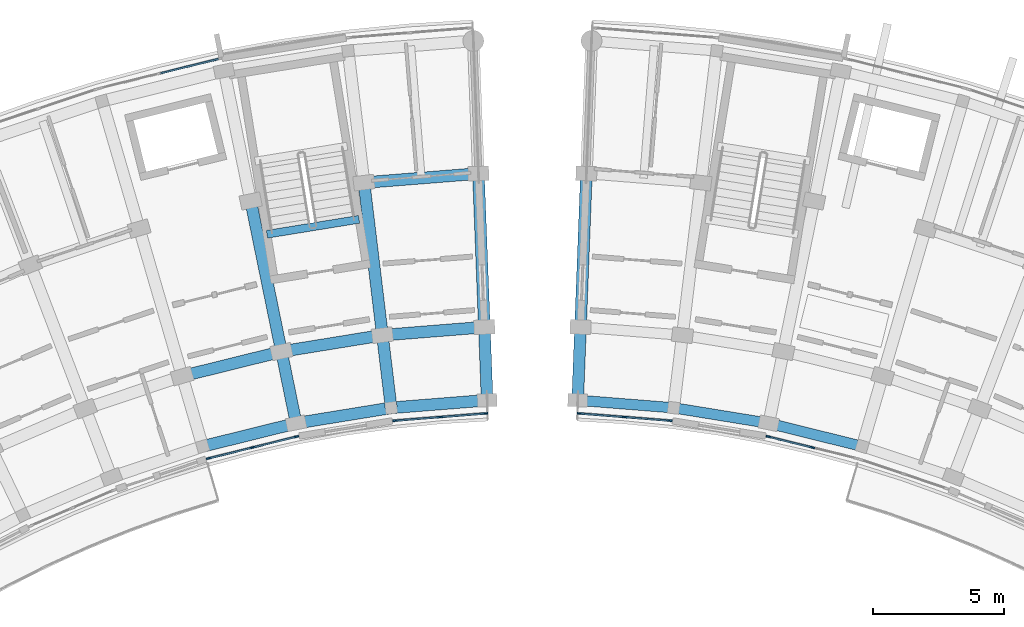
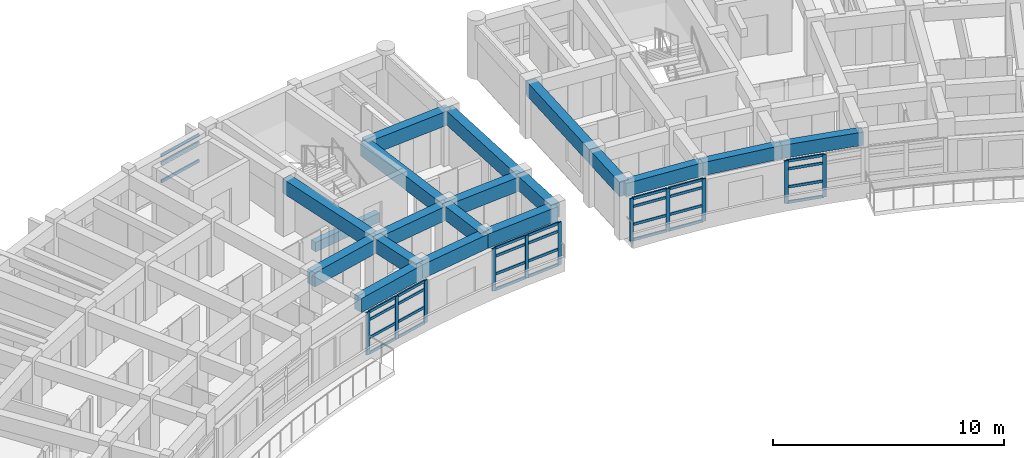
# One storey, part 6 of 56: 42 members, 19 beams, 5 elements without a shape of their own.
"""IFC4 building model written with IfcOpenShell, lengths in metres."""

from ifc_helpers import new_model, si_unit, direction, frame, origin, origin_2d, place, context, subcontext, project, spatial, rectangle, extrude, material, material_profile, profile_set, type_object, element, aggregate, save


model = new_model("IFC4")

# Units and contexts
model_context = context("Model", 3, precision=1e-05, world=origin(), true_north=direction((0.0, 1.0)))
body_context = subcontext(model_context, "Body", "Model", "MODEL_VIEW")
ifc_project = project(units=[si_unit("LENGTHUNIT", "METRE"), si_unit("AREAUNIT", "SQUARE_METRE"), si_unit("VOLUMEUNIT", "CUBIC_METRE"), si_unit("PLANEANGLEUNIT", "RADIAN"), si_unit("MASSUNIT", "GRAM", prefix="KILO")], contexts=[model_context])

# Site, building, storey
site_placement = place(None, origin())
site = spatial("IfcSite", under=ifc_project, at=site_placement, CompositionType="ELEMENT")
building_placement = place(site_placement, origin())
building = spatial("IfcBuilding", under=site, at=building_placement, Name="Zimvara Arc Housing Community", CompositionType="ELEMENT")
storey_placement = place(building_placement, frame((0.0, 0.0, 11.199951171875)))
storey = spatial("IfcBuildingStorey", under=building, at=storey_placement, Name="L03", CompositionType="ELEMENT", Elevation=11.199951171875)

# Beams
ifc_material_1 = material(Name="Concrete C40/50", Category="concrete")
ifc_material_profile_1 = material_profile(ifc_material_1, rectangle(XDim=0.300048828125, YDim=0.5, at=origin_2d()), Name="RC 300x500")
ifc_profile_set_1 = profile_set([ifc_material_profile_1], Name="Concrete C40/50")
beam_type_1 = type_object("IfcBeamType", Name="BM-RC-300x500", PredefinedType="BEAM", material=ifc_profile_set_1)
beam_1_placement = place(storey_placement, frame((38.3662109375, 96.509033203125, -0.25), z_axis=(-0.987080057935, -0.160227835371, 0.0), x_axis=(0.160227835371, -0.987080057935, 0.0)))
element("IfcBeam", 1, at=beam_1_placement, inside=storey, type_object=beam_type_1, Name="bm:stair_trim:ST-A2:L03:near", PredefinedType="BEAM", context=body_context, shape_type="SweptSolid", body=[
    extrude(rectangle(XDim=0.300048828125, YDim=0.5, at=origin_2d()), origin(), (0.0, 0.0, 1.0), 3.570068359375),
])
ifc_material_2 = material(Name="Concrete C40/50", Category="concrete")
ifc_material_profile_2 = material_profile(ifc_material_2, rectangle(XDim=0.39990234375, YDim=0.699951171875, at=origin_2d()), Name="RC 400x700")
ifc_profile_set_2 = profile_set([ifc_material_profile_2], Name="Concrete C40/50")
beam_type_2 = type_object("IfcBeamType", Name="BM-RC-400x700", PredefinedType="BEAM", material=ifc_profile_set_2)
for number, where, z_axis, x_axis, name in (
    (2, (46.732177734375, 89.586669921875, 2.510009765625), (0.996865226667, -0.079118391428, 0.0), (0.079118391428, 0.996865226667, 0.0), "bm:blkB:L03:chord:r0:b0"),
    (3, (50.405029296875, 89.295166015625, 2.510009765625), (0.987079996944, -0.160228211104, 0.0), (0.160228211104, 0.987079996944, 0.0), "bm:blkB:L03:chord:r0:b1"),
):
    element("IfcBeam", number, at=place(storey_placement, frame(where, z_axis=z_axis, x_axis=x_axis)), inside=storey, type_object=beam_type_2, Name=name, PredefinedType="BEAM", context=body_context, shape_type="SweptSolid", body=[
        extrude(rectangle(XDim=0.39990234375, YDim=0.699951171875, at=origin_2d()), origin(), (0.0, 0.0, 1.0), 3.684326171875),
    ])
beam_2_placement = place(storey_placement, frame((54.041748046875, 88.704833984375, 2.510009765625), z_axis=(0.970708886215, -0.240258731837, 0.0), x_axis=(0.240258731837, 0.970708886215, 0.0)))
element("IfcBeam", 4, at=beam_2_placement, inside=storey, type_object=beam_type_2, Name="bm:blkB:L03:chord:r0:b2", PredefinedType="BEAM", context=body_context, shape_type="SweptSolid", body=[
    extrude(rectangle(XDim=0.39990234375, YDim=0.699951171875, at=origin_2d()), origin(), (0.0, 0.0, 1.0), 3.6845703125),
])
ifc_material_3 = material(Name="Concrete C40/50", Category="concrete")
ifc_material_profile_3 = material_profile(ifc_material_3, rectangle(XDim=0.449951171875, YDim=0.75, at=origin_2d()), Name="RC 450x750")
ifc_profile_set_3 = profile_set([ifc_material_profile_3], Name="Concrete C40/50")
beam_type_3 = type_object("IfcBeamType", Name="BM-RC-450x750", PredefinedType="BEAM", material=ifc_profile_set_3)
beam_3_placement = place(storey_placement, frame((32.381591796875, 87.819580078125, 2.485107421875), z_axis=(0.970708886215, 0.240258731837, 0.0), x_axis=(-0.240258731837, 0.970708886215, 0.0)))
element("IfcBeam", 5, at=beam_3_placement, inside=storey, type_object=beam_type_3, Name="bm:blkA:L03:chord:r0:b7", PredefinedType="BEAM", context=body_context, shape_type="SweptSolid", body=[
    extrude(rectangle(XDim=0.449951171875, YDim=0.75, at=origin_2d()), origin(), (0.0, 0.0, 1.0), 3.6845703125),
])
for number, where, z_axis, x_axis, name in (
    (6, (35.958251953125, 88.704833984375, 2.485107421875), (0.987079996944, 0.160228211104, 0.0), (-0.160228211104, 0.987079996944, 0.0), "bm:blkA:L03:chord:r0:b8"),
    (7, (39.594970703125, 89.295166015625, 2.485107421875), (0.996865226667, 0.079118391428, 0.0), (-0.079118391428, 0.996865226667, 0.0), "bm:blkA:L03:chord:r0:b9"),
):
    element("IfcBeam", number, at=place(storey_placement, frame(where, z_axis=z_axis, x_axis=x_axis)), inside=storey, type_object=beam_type_3, Name=name, PredefinedType="BEAM", context=body_context, shape_type="SweptSolid", body=[
        extrude(rectangle(XDim=0.449951171875, YDim=0.75, at=origin_2d()), origin(), (0.0, 0.0, 1.0), 3.684326171875),
    ])
for number, where, z_axis, x_axis, name in (
    (8, (31.5986328125, 90.5078125, 2.485107421875), (0.970708671682, 0.240259598602, 0.0), (-0.240259598602, 0.970708671682, 0.0), "bm:blkA:L03:chord:r1:b7"),
    (9, (35.397216796875, 91.447998046875, 2.485107421875), (0.987081487371, 0.160219029111, 0.0), (-0.160219029111, 0.987081487371, 0.0), "bm:blkA:L03:chord:r1:b8"),
):
    element("IfcBeam", number, at=place(storey_placement, frame(where, z_axis=z_axis, x_axis=x_axis)), inside=storey, type_object=beam_type_3, Name=name, PredefinedType="BEAM", context=body_context, shape_type="SweptSolid", body=[
        extrude(rectangle(XDim=0.449951171875, YDim=0.75, at=origin_2d()), origin(), (0.0, 0.0, 1.0), 3.9130859375),
    ])
beam_4_placement = place(storey_placement, frame((39.259765625, 92.074951171875, 2.485107421875), z_axis=(0.99686054795, 0.079177319606, 0.0), x_axis=(-0.079177319606, 0.99686054795, 0.0)))
element("IfcBeam", 10, at=beam_4_placement, inside=storey, type_object=beam_type_3, Name="bm:blkA:L03:chord:r1:b9", PredefinedType="BEAM", context=body_context, shape_type="SweptSolid", body=[
    extrude(rectangle(XDim=0.449951171875, YDim=0.75, at=origin_2d()), origin(), (0.0, 0.0, 1.0), 3.912841796875),
])
beam_5_placement = place(storey_placement, frame((38.55517578125, 97.91259765625, 2.485107421875), z_axis=(0.996864209836, 0.079131202119, 0.0), x_axis=(-0.079131202119, 0.996864209836, 0.0)))
element("IfcBeam", 11, at=beam_5_placement, inside=storey, type_object=beam_type_3, Name="bm:blkA:L03:chord:r2:b9", PredefinedType="BEAM", context=body_context, shape_type="SweptSolid", body=[
    extrude(rectangle(XDim=0.449951171875, YDim=0.75, at=origin_2d()), origin(), (0.0, 0.0, 1.0), 4.393310546875),
])
beam_6_placement = place(storey_placement, frame((35.958251953125, 88.704833984375, 2.485107421875), z_axis=(-0.20037341071, 0.979719600845, 0.0), x_axis=(-0.979719600845, -0.20037341071, 0.0)))
element("IfcBeam", 12, at=beam_6_placement, inside=storey, type_object=beam_type_3, Name="bm:blkA:L03:rad:b8:r01", PredefinedType="BEAM", context=body_context, shape_type="SweptSolid", body=[
    extrude(rectangle(XDim=0.449951171875, YDim=0.75, at=origin_2d()), origin(), (0.0, 0.0, 1.0), 2.800048828125),
])
beam_7_placement = place(storey_placement, frame((35.397216796875, 91.447998046875, 2.485107421875), z_axis=(-0.200417973989, 0.979710485655, 0.0), x_axis=(-0.979710485655, -0.200417973989, 0.0)))
element("IfcBeam", 13, at=beam_7_placement, inside=storey, type_object=beam_type_3, Name="bm:blkA:L03:rad:b8:r12", PredefinedType="BEAM", context=body_context, shape_type="SweptSolid", body=[
    extrude(rectangle(XDim=0.449951171875, YDim=0.75, at=origin_2d()), origin(), (0.0, 0.0, 1.0), 5.880126953125),
])
beam_8_placement = place(storey_placement, frame((39.594970703125, 89.295166015625, 2.485107421875), z_axis=(-0.119719398078, 0.992807768767, 0.0), x_axis=(-0.992807768767, -0.119719398078, 0.0)))
element("IfcBeam", 14, at=beam_8_placement, inside=storey, type_object=beam_type_3, Name="bm:blkA:L03:rad:b9:r01", PredefinedType="BEAM", context=body_context, shape_type="SweptSolid", body=[
    extrude(rectangle(XDim=0.449951171875, YDim=0.75, at=origin_2d()), origin(), (0.0, 0.0, 1.0), 2.7998046875),
])
beam_9_placement = place(storey_placement, frame((39.259765625, 92.074951171875, 2.485107421875), z_axis=(-0.119827921695, 0.992794676246, 0.0), x_axis=(-0.992794676246, -0.119827921695, 0.0)))
element("IfcBeam", 15, at=beam_9_placement, inside=storey, type_object=beam_type_3, Name="bm:blkA:L03:rad:b9:r12", PredefinedType="BEAM", context=body_context, shape_type="SweptSolid", body=[
    extrude(rectangle(XDim=0.449951171875, YDim=0.75, at=origin_2d()), origin(), (0.0, 0.0, 1.0), 5.880126953125),
])
beam_10_placement = place(storey_placement, frame((43.267822265625, 89.586669921875, 2.485107421875), z_axis=(-0.038362804793, 0.999263876665, 0.0), x_axis=(-0.999263876665, -0.038362804793, 0.0)))
element("IfcBeam", 16, at=beam_10_placement, inside=storey, type_object=beam_type_3, Name="bm:blkA:L03:rad:b10:r01", PredefinedType="BEAM", context=body_context, shape_type="SweptSolid", body=[
    extrude(rectangle(XDim=0.449951171875, YDim=0.75, at=origin_2d()), origin(), (0.0, 0.0, 1.0), 2.800048828125),
])
beam_11_placement = place(storey_placement, frame((43.160400390625, 92.384765625, 2.485107421875), z_axis=(-0.038366147405, 0.999263748333, 0.0), x_axis=(-0.999263748333, -0.038366147405, 0.0)))
element("IfcBeam", 17, at=beam_11_placement, inside=storey, type_object=beam_type_3, Name="bm:blkA:L03:rad:b10:r12", PredefinedType="BEAM", context=body_context, shape_type="SweptSolid", body=[
    extrude(rectangle(XDim=0.449951171875, YDim=0.75, at=origin_2d()), origin(), (0.0, 0.0, 1.0), 5.8798828125),
])
beam_12_placement = place(storey_placement, frame((46.732177734375, 89.586669921875, 2.485107421875), z_axis=(0.038362804793, 0.999263876665, 0.0), x_axis=(-0.999263876665, 0.038362804793, 0.0)))
element("IfcBeam", 18, at=beam_12_placement, inside=storey, type_object=beam_type_3, Name="bm:blkB:L03:rad:b0:r01", PredefinedType="BEAM", context=body_context, shape_type="SweptSolid", body=[
    extrude(rectangle(XDim=0.449951171875, YDim=0.75, at=origin_2d()), origin(), (0.0, 0.0, 1.0), 2.800048828125),
])
beam_13_placement = place(storey_placement, frame((46.839599609375, 92.384765625, 2.485107421875), z_axis=(0.038366147405, 0.999263748333, 0.0), x_axis=(-0.999263748333, 0.038366147405, 0.0)))
element("IfcBeam", 19, at=beam_13_placement, inside=storey, type_object=beam_type_3, Name="bm:blkB:L03:rad:b0:r12", PredefinedType="BEAM", context=body_context, shape_type="SweptSolid", body=[
    extrude(rectangle(XDim=0.449951171875, YDim=0.75, at=origin_2d()), origin(), (0.0, 0.0, 1.0), 5.8798828125),
])

# Curtain wall, members
ifc_material_4 = material(Name="Anodised Aluminium AW-6063", Category="aluminium")
curtain_wall_type_1 = type_object("IfcCurtainWallType", Name="CW-SYS-02", PredefinedType="USERDEFINED", material=ifc_material_4)
curtain_wall_1_placement = place(storey_placement, origin())
curtain_wall_1 = element("IfcCurtainWall", 20, at=curtain_wall_1_placement, inside=storey, type_object=curtain_wall_type_1, Name="cw:blkA:L03:in:b7", ObjectType="CURTAIN WALL", PredefinedType="USERDEFINED")
ifc_material_5 = material(Name="Anodised Aluminium AW-6063", Category="aluminium")
ifc_material_profile_4 = material_profile(ifc_material_5, rectangle(XDim=0.06494140625, YDim=0.179931640625, at=origin_2d()), Name="ALU 65x180")
ifc_profile_set_4 = profile_set([ifc_material_profile_4], Name="Anodised Aluminium AW-6063")
member_type_1 = type_object("IfcMemberType", Name="CWM-65x150", PredefinedType="MULLION", material=ifc_profile_set_4)
member_1_placement = place(storey_placement, frame((32.611328125, 87.36181640625, 0.0), z_axis=(0.0, 0.0, 1.0), x_axis=(-0.240227815706, 0.970716537698, 0.0)))
member_1 = element("IfcMember", 21, at=member_1_placement, type_object=member_type_1, Name="CW02 mullion 1", PredefinedType="MULLION", context=body_context, shape_type="SweptSolid", body=[
    extrude(rectangle(XDim=0.06494140625, YDim=0.179931640625, at=origin_2d()), origin(), (0.0, 0.0, 1.0), 2.25),
])
member_2_placement = place(storey_placement, frame((34.2900390625, 87.77734375, 0.0), z_axis=(0.0, 0.0, 1.0), x_axis=(-0.240227815706, 0.970716537698, 0.0)))
member_2 = element("IfcMember", 22, at=member_2_placement, type_object=member_type_1, Name="CW02 mullion 2", PredefinedType="MULLION", context=body_context, shape_type="SweptSolid", body=[
    extrude(rectangle(XDim=0.06494140625, YDim=0.179931640625, at=origin_2d()), origin(), (0.0, 0.0, 1.0), 2.25),
])
member_3_placement = place(storey_placement, frame((35.96875, 88.192626953125, 0.0), z_axis=(0.0, 0.0, 1.0), x_axis=(-0.240227815706, 0.970716537698, 0.0)))
member_3 = element("IfcMember", 23, at=member_3_placement, type_object=member_type_1, Name="CW02 mullion 3", PredefinedType="MULLION", context=body_context, shape_type="SweptSolid", body=[
    extrude(rectangle(XDim=0.06494140625, YDim=0.179931640625, at=origin_2d()), origin(), (0.0, 0.0, 1.0), 2.25),
])

ifc_material_6 = material(Name="Anodised Aluminium AW-6063", Category="aluminium")
curtain_wall_type_2 = type_object("IfcCurtainWallType", Name="CW-SYS-04", PredefinedType="USERDEFINED", material=ifc_material_6)
curtain_wall_2_placement = place(storey_placement, origin())
curtain_wall_2 = element("IfcCurtainWall", 24, at=curtain_wall_2_placement, inside=storey, type_object=curtain_wall_type_2, Name="cw:blkA:L03:in:b9", ObjectType="CURTAIN WALL", PredefinedType="USERDEFINED")
member_4_placement = place(storey_placement, frame((39.7470703125, 88.805908203125, 0.0), z_axis=(0.0, 0.0, 1.0), x_axis=(-0.079154709897, 0.996862343506, 0.0)))
member_4 = element("IfcMember", 25, at=member_4_placement, type_object=member_type_1, Name="CW04 mullion 1", PredefinedType="MULLION", context=body_context, shape_type="SweptSolid", body=[
    extrude(rectangle(XDim=0.06494140625, YDim=0.179931640625, at=origin_2d()), origin(), (0.0, 0.0, 1.0), 2.25),
])
member_5_placement = place(storey_placement, frame((41.470947265625, 88.94287109375, 0.0), z_axis=(0.0, 0.0, 1.0), x_axis=(-0.079154709897, 0.996862343506, 0.0)))
member_5 = element("IfcMember", 26, at=member_5_placement, type_object=member_type_1, Name="CW04 mullion 2", PredefinedType="MULLION", context=body_context, shape_type="SweptSolid", body=[
    extrude(rectangle(XDim=0.06494140625, YDim=0.179931640625, at=origin_2d()), origin(), (0.0, 0.0, 1.0), 2.25),
])
member_6_placement = place(storey_placement, frame((43.19482421875, 89.079833984375, 0.0), z_axis=(0.0, 0.0, 1.0), x_axis=(-0.079154709897, 0.996862343506, 0.0)))
member_6 = element("IfcMember", 27, at=member_6_placement, type_object=member_type_1, Name="CW04 mullion 3", PredefinedType="MULLION", context=body_context, shape_type="SweptSolid", body=[
    extrude(rectangle(XDim=0.06494140625, YDim=0.179931640625, at=origin_2d()), origin(), (0.0, 0.0, 1.0), 2.25),
])

ifc_material_7 = material(Name="Anodised Aluminium AW-6063", Category="aluminium")
curtain_wall_type_3 = type_object("IfcCurtainWallType", Name="CW-SYS-08", PredefinedType="USERDEFINED", material=ifc_material_7)
curtain_wall_3_placement = place(storey_placement, origin())
curtain_wall_3 = element("IfcCurtainWall", 28, at=curtain_wall_3_placement, inside=storey, type_object=curtain_wall_type_3, Name="cw:blkB:L03:in:b0", ObjectType="CURTAIN WALL", PredefinedType="USERDEFINED")
member_7_placement = place(storey_placement, frame((46.80517578125, 89.079833984375, 0.0), z_axis=(0.0, 0.0, 1.0), x_axis=(0.079154709897, 0.996862343506, 0.0)))
member_7 = element("IfcMember", 29, at=member_7_placement, type_object=member_type_1, Name="CW08 mullion 1", PredefinedType="MULLION", context=body_context, shape_type="SweptSolid", body=[
    extrude(rectangle(XDim=0.06494140625, YDim=0.179931640625, at=origin_2d()), origin(), (0.0, 0.0, 1.0), 2.25),
])
member_8_placement = place(storey_placement, frame((48.529052734375, 88.94287109375, 0.0), z_axis=(0.0, 0.0, 1.0), x_axis=(0.079154709897, 0.996862343506, 0.0)))
member_8 = element("IfcMember", 30, at=member_8_placement, type_object=member_type_1, Name="CW08 mullion 2", PredefinedType="MULLION", context=body_context, shape_type="SweptSolid", body=[
    extrude(rectangle(XDim=0.06494140625, YDim=0.179931640625, at=origin_2d()), origin(), (0.0, 0.0, 1.0), 2.25),
])
member_9_placement = place(storey_placement, frame((50.2529296875, 88.805908203125, 0.0), z_axis=(0.0, 0.0, 1.0), x_axis=(0.079154709897, 0.996862343506, 0.0)))
member_9 = element("IfcMember", 31, at=member_9_placement, type_object=member_type_1, Name="CW08 mullion 3", PredefinedType="MULLION", context=body_context, shape_type="SweptSolid", body=[
    extrude(rectangle(XDim=0.06494140625, YDim=0.179931640625, at=origin_2d()), origin(), (0.0, 0.0, 1.0), 2.25),
])

curtain_wall_4_placement = place(storey_placement, origin())
curtain_wall_4 = element("IfcCurtainWall", 32, at=curtain_wall_4_placement, inside=storey, type_object=curtain_wall_type_1, Name="cw:blkB:L03:in:b2", ObjectType="CURTAIN WALL", PredefinedType="USERDEFINED")
member_10_placement = place(storey_placement, frame((54.03125, 88.192626953125, 0.0), z_axis=(0.0, 0.0, 1.0), x_axis=(0.240227815706, 0.970716537698, 0.0)))
member_10 = element("IfcMember", 33, at=member_10_placement, type_object=member_type_1, Name="CW02 mullion 1", PredefinedType="MULLION", context=body_context, shape_type="SweptSolid", body=[
    extrude(rectangle(XDim=0.06494140625, YDim=0.179931640625, at=origin_2d()), origin(), (0.0, 0.0, 1.0), 2.25),
])
member_11_placement = place(storey_placement, frame((55.7099609375, 87.77734375, 0.0), z_axis=(0.0, 0.0, 1.0), x_axis=(0.240227815706, 0.970716537698, 0.0)))
member_11 = element("IfcMember", 34, at=member_11_placement, type_object=member_type_1, Name="CW02 mullion 2", PredefinedType="MULLION", context=body_context, shape_type="SweptSolid", body=[
    extrude(rectangle(XDim=0.06494140625, YDim=0.179931640625, at=origin_2d()), origin(), (0.0, 0.0, 1.0), 2.25),
])

# Member
ifc_material_8 = material(Name="Anodised Aluminium AW-6063", Category="aluminium")
ifc_material_profile_5 = material_profile(ifc_material_8, rectangle(XDim=0.06494140625, YDim=0.139892578125, at=origin_2d()), Name="ALU 65x140")
ifc_profile_set_5 = profile_set([ifc_material_profile_5], Name="Anodised Aluminium AW-6063")
member_type_2 = type_object("IfcMemberType", Name="CWT-65x120", PredefinedType="USERDEFINED", material=ifc_profile_set_5)
member_12_placement = place(storey_placement, frame((32.642822265625, 87.36962890625, 0.032470703125), z_axis=(0.970700809973, 0.24029135964, 0.0), x_axis=(-0.24029135964, 0.970700809973, 0.0)))
member_12 = element("IfcMember", 35, at=member_12_placement, type_object=member_type_2, Name="CW02 transom 1.1", ObjectType="TRANSOM", PredefinedType="USERDEFINED", context=body_context, shape_type="SweptSolid", body=[
    extrude(rectangle(XDim=0.06494140625, YDim=0.139892578125, at=origin_2d()), origin(), (0.0, 0.0, 1.0), 1.664306640625),
])

member_13_placement = place(storey_placement, frame((32.642822265625, 87.36962890625, 0.85009765625), z_axis=(0.970700809973, 0.24029135964, 0.0), x_axis=(-0.24029135964, 0.970700809973, 0.0)))
member_13 = element("IfcMember", 36, at=member_13_placement, type_object=member_type_2, Name="CW02 transom 1.2", ObjectType="TRANSOM", PredefinedType="USERDEFINED", context=body_context, shape_type="SweptSolid", body=[
    extrude(rectangle(XDim=0.06494140625, YDim=0.139892578125, at=origin_2d()), origin(), (0.0, 0.0, 1.0), 1.664306640625),
])

member_14_placement = place(storey_placement, frame((32.642822265625, 87.36962890625, 1.800048828125), z_axis=(0.970700809973, 0.24029135964, 0.0), x_axis=(-0.24029135964, 0.970700809973, 0.0)))
member_14 = element("IfcMember", 37, at=member_14_placement, type_object=member_type_2, Name="CW02 transom 1.3", ObjectType="TRANSOM", PredefinedType="USERDEFINED", context=body_context, shape_type="SweptSolid", body=[
    extrude(rectangle(XDim=0.06494140625, YDim=0.139892578125, at=origin_2d()), origin(), (0.0, 0.0, 1.0), 1.664306640625),
])

member_15_placement = place(storey_placement, frame((32.642822265625, 87.36962890625, 2.217529296875), z_axis=(0.970700809973, 0.24029135964, 0.0), x_axis=(-0.24029135964, 0.970700809973, 0.0)))
member_15 = element("IfcMember", 38, at=member_15_placement, type_object=member_type_2, Name="CW02 transom 1.4", ObjectType="TRANSOM", PredefinedType="USERDEFINED", context=body_context, shape_type="SweptSolid", body=[
    extrude(rectangle(XDim=0.06494140625, YDim=0.139892578125, at=origin_2d()), origin(), (0.0, 0.0, 1.0), 1.664306640625),
])

member_16_placement = place(storey_placement, frame((34.321533203125, 87.78515625, 0.032470703125), z_axis=(0.970735018799, 0.240153124645, 0.0), x_axis=(-0.240153124645, 0.970735018799, 0.0)))
member_16 = element("IfcMember", 39, at=member_16_placement, type_object=member_type_2, Name="CW02 transom 2.1", ObjectType="TRANSOM", PredefinedType="USERDEFINED", context=body_context, shape_type="SweptSolid", body=[
    extrude(rectangle(XDim=0.06494140625, YDim=0.139892578125, at=origin_2d()), origin(), (0.0, 0.0, 1.0), 1.6640625),
])

member_17_placement = place(storey_placement, frame((34.321533203125, 87.78515625, 0.85009765625), z_axis=(0.970735018799, 0.240153124645, 0.0), x_axis=(-0.240153124645, 0.970735018799, 0.0)))
member_17 = element("IfcMember", 40, at=member_17_placement, type_object=member_type_2, Name="CW02 transom 2.2", ObjectType="TRANSOM", PredefinedType="USERDEFINED", context=body_context, shape_type="SweptSolid", body=[
    extrude(rectangle(XDim=0.06494140625, YDim=0.139892578125, at=origin_2d()), origin(), (0.0, 0.0, 1.0), 1.6640625),
])

member_18_placement = place(storey_placement, frame((34.321533203125, 87.78515625, 1.800048828125), z_axis=(0.970735018799, 0.240153124645, 0.0), x_axis=(-0.240153124645, 0.970735018799, 0.0)))
member_18 = element("IfcMember", 41, at=member_18_placement, type_object=member_type_2, Name="CW02 transom 2.3", ObjectType="TRANSOM", PredefinedType="USERDEFINED", context=body_context, shape_type="SweptSolid", body=[
    extrude(rectangle(XDim=0.06494140625, YDim=0.139892578125, at=origin_2d()), origin(), (0.0, 0.0, 1.0), 1.6640625),
])

member_19_placement = place(storey_placement, frame((34.321533203125, 87.78515625, 2.217529296875), z_axis=(0.970735018799, 0.240153124645, 0.0), x_axis=(-0.240153124645, 0.970735018799, 0.0)))
member_19 = element("IfcMember", 42, at=member_19_placement, type_object=member_type_2, Name="CW02 transom 2.4", ObjectType="TRANSOM", PredefinedType="USERDEFINED", context=body_context, shape_type="SweptSolid", body=[
    extrude(rectangle(XDim=0.06494140625, YDim=0.139892578125, at=origin_2d()), origin(), (0.0, 0.0, 1.0), 1.6640625),
])

aggregate(curtain_wall_1, [member_1, member_2, member_3, member_12, member_13, member_14, member_15, member_16, member_17, member_18, member_19])

member_20_placement = place(storey_placement, frame((39.779541015625, 88.80859375, 0.032470703125), z_axis=(0.99685804311, 0.079208849806, 0.0), x_axis=(-0.079208849806, 0.99685804311, 0.0)))
member_20 = element("IfcMember", 43, at=member_20_placement, type_object=member_type_2, Name="CW04 transom 1.1", ObjectType="TRANSOM", PredefinedType="USERDEFINED", context=body_context, shape_type="SweptSolid", body=[
    extrude(rectangle(XDim=0.06494140625, YDim=0.139892578125, at=origin_2d()), origin(), (0.0, 0.0, 1.0), 1.664306640625),
])

member_21_placement = place(storey_placement, frame((39.779541015625, 88.80859375, 0.85009765625), z_axis=(0.99685804311, 0.079208849806, 0.0), x_axis=(-0.079208849806, 0.99685804311, 0.0)))
member_21 = element("IfcMember", 44, at=member_21_placement, type_object=member_type_2, Name="CW04 transom 1.2", ObjectType="TRANSOM", PredefinedType="USERDEFINED", context=body_context, shape_type="SweptSolid", body=[
    extrude(rectangle(XDim=0.06494140625, YDim=0.139892578125, at=origin_2d()), origin(), (0.0, 0.0, 1.0), 1.664306640625),
])

member_22_placement = place(storey_placement, frame((39.779541015625, 88.80859375, 1.800048828125), z_axis=(0.99685804311, 0.079208849806, 0.0), x_axis=(-0.079208849806, 0.99685804311, 0.0)))
member_22 = element("IfcMember", 45, at=member_22_placement, type_object=member_type_2, Name="CW04 transom 1.3", ObjectType="TRANSOM", PredefinedType="USERDEFINED", context=body_context, shape_type="SweptSolid", body=[
    extrude(rectangle(XDim=0.06494140625, YDim=0.139892578125, at=origin_2d()), origin(), (0.0, 0.0, 1.0), 1.664306640625),
])

member_23_placement = place(storey_placement, frame((39.779541015625, 88.80859375, 2.217529296875), z_axis=(0.99685804311, 0.079208849806, 0.0), x_axis=(-0.079208849806, 0.99685804311, 0.0)))
member_23 = element("IfcMember", 46, at=member_23_placement, type_object=member_type_2, Name="CW04 transom 1.4", ObjectType="TRANSOM", PredefinedType="USERDEFINED", context=body_context, shape_type="SweptSolid", body=[
    extrude(rectangle(XDim=0.06494140625, YDim=0.139892578125, at=origin_2d()), origin(), (0.0, 0.0, 1.0), 1.664306640625),
])

member_24_placement = place(storey_placement, frame((41.50341796875, 88.945556640625, 0.032470703125), z_axis=(0.996869614678, 0.079063084507, 0.0), x_axis=(-0.079063084507, 0.996869614678, 0.0)))
member_24 = element("IfcMember", 47, at=member_24_placement, type_object=member_type_2, Name="CW04 transom 2.1", ObjectType="TRANSOM", PredefinedType="USERDEFINED", context=body_context, shape_type="SweptSolid", body=[
    extrude(rectangle(XDim=0.06494140625, YDim=0.139892578125, at=origin_2d()), origin(), (0.0, 0.0, 1.0), 1.664306640625),
])

member_25_placement = place(storey_placement, frame((41.50341796875, 88.945556640625, 0.85009765625), z_axis=(0.996869614678, 0.079063084507, 0.0), x_axis=(-0.079063084507, 0.996869614678, 0.0)))
member_25 = element("IfcMember", 48, at=member_25_placement, type_object=member_type_2, Name="CW04 transom 2.2", ObjectType="TRANSOM", PredefinedType="USERDEFINED", context=body_context, shape_type="SweptSolid", body=[
    extrude(rectangle(XDim=0.06494140625, YDim=0.139892578125, at=origin_2d()), origin(), (0.0, 0.0, 1.0), 1.664306640625),
])

member_26_placement = place(storey_placement, frame((41.50341796875, 88.945556640625, 1.800048828125), z_axis=(0.996869614678, 0.079063084507, 0.0), x_axis=(-0.079063084507, 0.996869614678, 0.0)))
member_26 = element("IfcMember", 49, at=member_26_placement, type_object=member_type_2, Name="CW04 transom 2.3", ObjectType="TRANSOM", PredefinedType="USERDEFINED", context=body_context, shape_type="SweptSolid", body=[
    extrude(rectangle(XDim=0.06494140625, YDim=0.139892578125, at=origin_2d()), origin(), (0.0, 0.0, 1.0), 1.664306640625),
])

member_27_placement = place(storey_placement, frame((41.50341796875, 88.945556640625, 2.217529296875), z_axis=(0.996869614678, 0.079063084507, 0.0), x_axis=(-0.079063084507, 0.996869614678, 0.0)))
member_27 = element("IfcMember", 50, at=member_27_placement, type_object=member_type_2, Name="CW04 transom 2.4", ObjectType="TRANSOM", PredefinedType="USERDEFINED", context=body_context, shape_type="SweptSolid", body=[
    extrude(rectangle(XDim=0.06494140625, YDim=0.139892578125, at=origin_2d()), origin(), (0.0, 0.0, 1.0), 1.664306640625),
])

aggregate(curtain_wall_2, [member_4, member_5, member_6, member_20, member_21, member_22, member_23, member_24, member_25, member_26, member_27])

member_28_placement = place(storey_placement, frame((46.83740234375, 89.0771484375, 0.032470703125), z_axis=(0.996869614678, -0.079063084507, 0.0), x_axis=(0.079063084507, 0.996869614678, 0.0)))
member_28 = element("IfcMember", 51, at=member_28_placement, type_object=member_type_2, Name="CW08 transom 1.1", ObjectType="TRANSOM", PredefinedType="USERDEFINED", context=body_context, shape_type="SweptSolid", body=[
    extrude(rectangle(XDim=0.06494140625, YDim=0.139892578125, at=origin_2d()), origin(), (0.0, 0.0, 1.0), 1.664306640625),
])

member_29_placement = place(storey_placement, frame((46.83740234375, 89.0771484375, 0.85009765625), z_axis=(0.996869614678, -0.079063084507, 0.0), x_axis=(0.079063084507, 0.996869614678, 0.0)))
member_29 = element("IfcMember", 52, at=member_29_placement, type_object=member_type_2, Name="CW08 transom 1.2", ObjectType="TRANSOM", PredefinedType="USERDEFINED", context=body_context, shape_type="SweptSolid", body=[
    extrude(rectangle(XDim=0.06494140625, YDim=0.139892578125, at=origin_2d()), origin(), (0.0, 0.0, 1.0), 1.664306640625),
])

member_30_placement = place(storey_placement, frame((46.83740234375, 89.0771484375, 1.800048828125), z_axis=(0.996869614678, -0.079063084507, 0.0), x_axis=(0.079063084507, 0.996869614678, 0.0)))
member_30 = element("IfcMember", 53, at=member_30_placement, type_object=member_type_2, Name="CW08 transom 1.3", ObjectType="TRANSOM", PredefinedType="USERDEFINED", context=body_context, shape_type="SweptSolid", body=[
    extrude(rectangle(XDim=0.06494140625, YDim=0.139892578125, at=origin_2d()), origin(), (0.0, 0.0, 1.0), 1.664306640625),
])

member_31_placement = place(storey_placement, frame((46.83740234375, 89.0771484375, 2.217529296875), z_axis=(0.996869614678, -0.079063084507, 0.0), x_axis=(0.079063084507, 0.996869614678, 0.0)))
member_31 = element("IfcMember", 54, at=member_31_placement, type_object=member_type_2, Name="CW08 transom 1.4", ObjectType="TRANSOM", PredefinedType="USERDEFINED", context=body_context, shape_type="SweptSolid", body=[
    extrude(rectangle(XDim=0.06494140625, YDim=0.139892578125, at=origin_2d()), origin(), (0.0, 0.0, 1.0), 1.664306640625),
])

member_32_placement = place(storey_placement, frame((48.561279296875, 88.9404296875, 0.032470703125), z_axis=(0.99685804311, -0.079208849806, 0.0), x_axis=(0.079208849806, 0.99685804311, 0.0)))
member_32 = element("IfcMember", 55, at=member_32_placement, type_object=member_type_2, Name="CW08 transom 2.1", ObjectType="TRANSOM", PredefinedType="USERDEFINED", context=body_context, shape_type="SweptSolid", body=[
    extrude(rectangle(XDim=0.06494140625, YDim=0.139892578125, at=origin_2d()), origin(), (0.0, 0.0, 1.0), 1.664306640625),
])

member_33_placement = place(storey_placement, frame((48.561279296875, 88.9404296875, 0.85009765625), z_axis=(0.99685804311, -0.079208849806, 0.0), x_axis=(0.079208849806, 0.99685804311, 0.0)))
member_33 = element("IfcMember", 56, at=member_33_placement, type_object=member_type_2, Name="CW08 transom 2.2", ObjectType="TRANSOM", PredefinedType="USERDEFINED", context=body_context, shape_type="SweptSolid", body=[
    extrude(rectangle(XDim=0.06494140625, YDim=0.139892578125, at=origin_2d()), origin(), (0.0, 0.0, 1.0), 1.664306640625),
])

member_34_placement = place(storey_placement, frame((48.561279296875, 88.9404296875, 1.800048828125), z_axis=(0.99685804311, -0.079208849806, 0.0), x_axis=(0.079208849806, 0.99685804311, 0.0)))
member_34 = element("IfcMember", 57, at=member_34_placement, type_object=member_type_2, Name="CW08 transom 2.3", ObjectType="TRANSOM", PredefinedType="USERDEFINED", context=body_context, shape_type="SweptSolid", body=[
    extrude(rectangle(XDim=0.06494140625, YDim=0.139892578125, at=origin_2d()), origin(), (0.0, 0.0, 1.0), 1.664306640625),
])

member_35_placement = place(storey_placement, frame((48.561279296875, 88.9404296875, 2.217529296875), z_axis=(0.99685804311, -0.079208849806, 0.0), x_axis=(0.079208849806, 0.99685804311, 0.0)))
member_35 = element("IfcMember", 58, at=member_35_placement, type_object=member_type_2, Name="CW08 transom 2.4", ObjectType="TRANSOM", PredefinedType="USERDEFINED", context=body_context, shape_type="SweptSolid", body=[
    extrude(rectangle(XDim=0.06494140625, YDim=0.139892578125, at=origin_2d()), origin(), (0.0, 0.0, 1.0), 1.664306640625),
])

aggregate(curtain_wall_3, [member_7, member_8, member_9, member_28, member_29, member_30, member_31, member_32, member_33, member_34, member_35])

member_36_placement = place(storey_placement, frame((54.06298828125, 88.184814453125, 0.032470703125), z_axis=(0.970735018799, -0.240153124645, 0.0), x_axis=(0.240153124645, 0.970735018799, 0.0)))
member_36 = element("IfcMember", 59, at=member_36_placement, type_object=member_type_2, Name="CW02 transom 1.1", ObjectType="TRANSOM", PredefinedType="USERDEFINED", context=body_context, shape_type="SweptSolid", body=[
    extrude(rectangle(XDim=0.06494140625, YDim=0.139892578125, at=origin_2d()), origin(), (0.0, 0.0, 1.0), 1.6640625),
])

member_37_placement = place(storey_placement, frame((54.06298828125, 88.184814453125, 0.85009765625), z_axis=(0.970735018799, -0.240153124645, 0.0), x_axis=(0.240153124645, 0.970735018799, 0.0)))
member_37 = element("IfcMember", 60, at=member_37_placement, type_object=member_type_2, Name="CW02 transom 1.2", ObjectType="TRANSOM", PredefinedType="USERDEFINED", context=body_context, shape_type="SweptSolid", body=[
    extrude(rectangle(XDim=0.06494140625, YDim=0.139892578125, at=origin_2d()), origin(), (0.0, 0.0, 1.0), 1.6640625),
])

member_38_placement = place(storey_placement, frame((54.06298828125, 88.184814453125, 1.800048828125), z_axis=(0.970735018799, -0.240153124645, 0.0), x_axis=(0.240153124645, 0.970735018799, 0.0)))
member_38 = element("IfcMember", 61, at=member_38_placement, type_object=member_type_2, Name="CW02 transom 1.3", ObjectType="TRANSOM", PredefinedType="USERDEFINED", context=body_context, shape_type="SweptSolid", body=[
    extrude(rectangle(XDim=0.06494140625, YDim=0.139892578125, at=origin_2d()), origin(), (0.0, 0.0, 1.0), 1.6640625),
])

member_39_placement = place(storey_placement, frame((54.06298828125, 88.184814453125, 2.217529296875), z_axis=(0.970735018799, -0.240153124645, 0.0), x_axis=(0.240153124645, 0.970735018799, 0.0)))
member_39 = element("IfcMember", 62, at=member_39_placement, type_object=member_type_2, Name="CW02 transom 1.4", ObjectType="TRANSOM", PredefinedType="USERDEFINED", context=body_context, shape_type="SweptSolid", body=[
    extrude(rectangle(XDim=0.06494140625, YDim=0.139892578125, at=origin_2d()), origin(), (0.0, 0.0, 1.0), 1.6640625),
])

aggregate(curtain_wall_4, [member_10, member_11, member_36, member_37, member_38, member_39])

# Curtain wall, members
ifc_material_9 = material(Name="Anodised Aluminium AW-6063", Category="aluminium")
curtain_wall_type_4 = type_object("IfcCurtainWallType", Name="CW-SYS-01", PredefinedType="USERDEFINED", material=ifc_material_9)
curtain_wall_5_placement = place(storey_placement, origin())
curtain_wall_5 = element("IfcCurtainWall", 63, at=curtain_wall_5_placement, inside=storey, type_object=curtain_wall_type_4, Name="cw:blkA:L03:out:b7", ObjectType="CURTAIN WALL", PredefinedType="USERDEFINED")
ifc_material_10 = material(Name="Anodised Aluminium AW-6063", Category="aluminium")
ifc_material_profile_6 = material_profile(ifc_material_10, rectangle(XDim=0.06494140625, YDim=0.155029296875, at=origin_2d()), Name="ALU 65x155")
ifc_profile_set_6 = profile_set([ifc_material_profile_6], Name="Anodised Aluminium AW-6063")
member_type_3 = type_object("IfcMemberType", Name="CWT-65x140", PredefinedType="USERDEFINED", material=ifc_profile_set_6)
member_40_placement = place(storey_placement, frame((30.77880859375, 102.100830078125, 0.85009765625), z_axis=(0.970703721793, 0.240279596507, 0.0), x_axis=(-0.240279596507, 0.970703721793, 0.0)))
member_40 = element("IfcMember", 64, at=member_40_placement, type_object=member_type_3, Name="CW01 transom 2.2", ObjectType="TRANSOM", PredefinedType="USERDEFINED", context=body_context, shape_type="SweptSolid", body=[
    extrude(rectangle(XDim=0.06494140625, YDim=0.155029296875, at=origin_2d()), origin(), (0.0, 0.0, 1.0), 2.266845703125),
])
member_41_placement = place(storey_placement, frame((30.77880859375, 102.100830078125, 1.800048828125), z_axis=(0.970703721793, 0.240279596507, 0.0), x_axis=(-0.240279596507, 0.970703721793, 0.0)))
member_41 = element("IfcMember", 65, at=member_41_placement, type_object=member_type_3, Name="CW01 transom 2.3", ObjectType="TRANSOM", PredefinedType="USERDEFINED", context=body_context, shape_type="SweptSolid", body=[
    extrude(rectangle(XDim=0.06494140625, YDim=0.155029296875, at=origin_2d()), origin(), (0.0, 0.0, 1.0), 2.266845703125),
])
member_42_placement = place(storey_placement, frame((30.77880859375, 102.100830078125, 2.217529296875), z_axis=(0.970703721793, 0.240279596507, 0.0), x_axis=(-0.240279596507, 0.970703721793, 0.0)))
member_42 = element("IfcMember", 66, at=member_42_placement, type_object=member_type_3, Name="CW01 transom 2.4", ObjectType="TRANSOM", PredefinedType="USERDEFINED", context=body_context, shape_type="SweptSolid", body=[
    extrude(rectangle(XDim=0.06494140625, YDim=0.155029296875, at=origin_2d()), origin(), (0.0, 0.0, 1.0), 2.266845703125),
])
aggregate(curtain_wall_5, [member_40, member_41, member_42])

save(model, "model.ifc")
